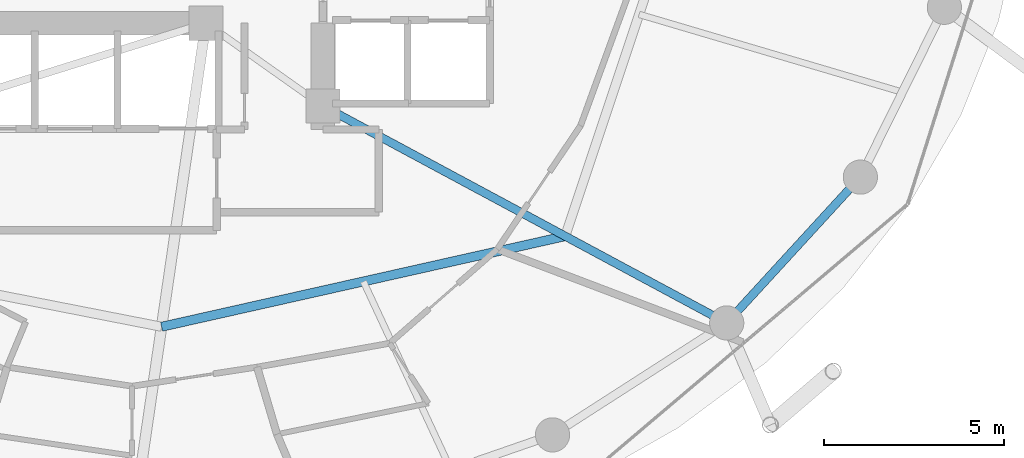
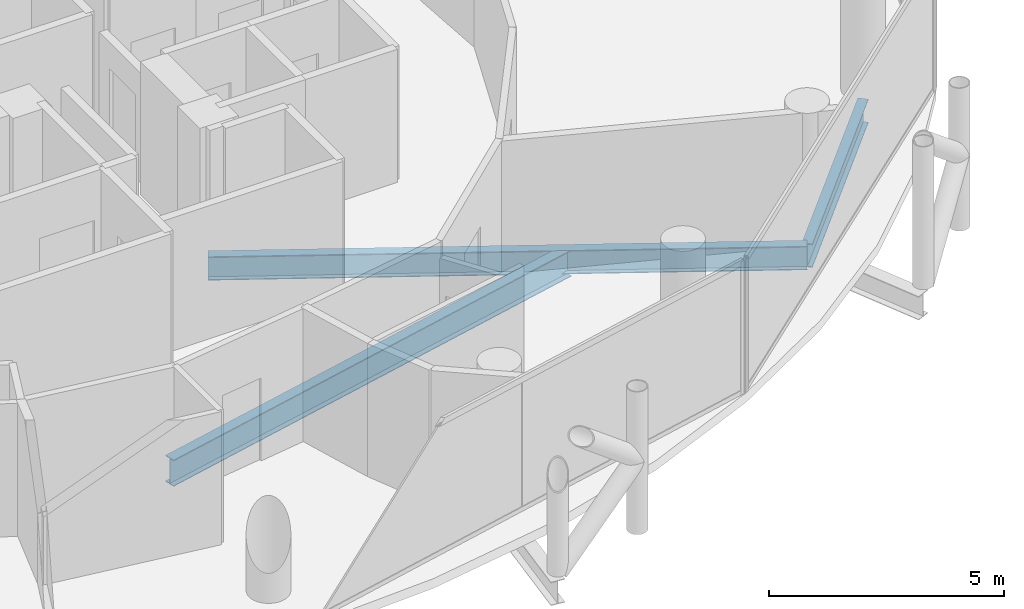
# One storey, part 9 of 26: 3 beams.
"""IFC4 building model written with IfcOpenShell, lengths in metres."""

from ifc_helpers import new_model, si_unit, direction, frame, origin, origin_2d, place, context, subcontext, project, spatial, i_section, extrude, material, material_profile, profile_set, type_object, element, save


model = new_model("IFC4")

# Units and contexts
model_context = context("Model", 3, precision=1e-05, world=origin(), true_north=direction((0.0, 1.0)))
body_context = subcontext(model_context, "Body", "Model", "MODEL_VIEW")
ifc_project = project(units=[si_unit("LENGTHUNIT", "METRE"), si_unit("AREAUNIT", "SQUARE_METRE"), si_unit("VOLUMEUNIT", "CUBIC_METRE"), si_unit("PLANEANGLEUNIT", "RADIAN"), si_unit("MASSUNIT", "GRAM", prefix="KILO")], contexts=[model_context])

# Site, building, storey
site_placement = place(None, origin())
site = spatial("IfcSite", under=ifc_project, at=site_placement, CompositionType="ELEMENT")
building_placement = place(site_placement, origin())
building = spatial("IfcBuilding", under=site, at=building_placement, Name="Nuhasar Tower", CompositionType="ELEMENT")
storey_placement = place(building_placement, frame((0.0, 0.0, 140.449951171875)))
storey = spatial("IfcBuildingStorey", under=building, at=storey_placement, Name="L33", CompositionType="ELEMENT", Elevation=140.449951171875)

# Beams
ifc_material = material(Name="Steel S355", Category="steel")
ifc_material_profile_1 = material_profile(ifc_material, i_section(OverallWidth=0.25390625, OverallDepth=0.68408203125, WebThickness=0.012451171875, FlangeThickness=0.018798828125, at=origin_2d()), Name="W27X94")
ifc_profile_set_1 = profile_set([ifc_material_profile_1], Name="Steel S355")
beam_type_1 = type_object("IfcBeamType", Name="BM-INRING-W27X94", PredefinedType="BEAM", material=ifc_profile_set_1)
beam_1_placement = place(storey_placement, frame((39.820068359375, 12.8701171875, -0.592041015625), z_axis=(0.975716159385, 0.219038755282, 0.0), x_axis=(-0.219038755282, 0.975716159385, 0.0)))
element("IfcBeam", 1, at=beam_1_placement, inside=storey, type_object=beam_type_1, Name="L33 Inner Header Beam 02", PredefinedType="BEAM", context=body_context, shape_type="SweptSolid", body=[
    extrude(i_section(OverallWidth=0.25390625, OverallDepth=0.68408203125, WebThickness=0.012451171875, FlangeThickness=0.018798828125, at=origin_2d()), origin(), (0.0, 0.0, 1.0), 11.48583984375),
])
ifc_material_profile_2 = material_profile(ifc_material, i_section(OverallWidth=0.22900390625, OverallDepth=0.612060546875, WebThickness=0.011962890625, FlangeThickness=0.01953125, at=origin_2d()), Name="W24X84")
ifc_profile_set_2 = profile_set([ifc_material_profile_2], Name="Steel S355")
beam_type_2 = type_object("IfcBeamType", Name="BM-RAD-W24X84", PredefinedType="BEAM", material=ifc_profile_set_2)
beam_2_placement = place(storey_placement, frame((44.300048828125, 19.0, -0.555908203125), z_axis=(0.880888386928, -0.473324043098, 0.0), x_axis=(0.473324043098, 0.880888386928, 0.0)))
element("IfcBeam", 2, at=beam_2_placement, inside=storey, type_object=beam_type_2, Name="L33 Radial Floor Girder 03", PredefinedType="BEAM", context=body_context, shape_type="SweptSolid", body=[
    extrude(i_section(OverallWidth=0.22900390625, OverallDepth=0.612060546875, WebThickness=0.011962890625, FlangeThickness=0.01953125, at=origin_2d()), origin(), (0.0, 0.0, 1.0), 12.726806640625),
])
ifc_material_profile_3 = material_profile(ifc_material, i_section(OverallWidth=0.22998046875, OverallDepth=0.616943359375, WebThickness=0.01318359375, FlangeThickness=0.022216796875, at=origin_2d()), Name="W24X94")
ifc_profile_set_3 = profile_set([ifc_material_profile_3], Name="Steel S355")
beam_type_3 = type_object("IfcBeamType", Name="BM-RING-W24X94", PredefinedType="SPANDREL", material=ifc_profile_set_3)
beam_3_placement = place(storey_placement, frame((55.510986328125, 12.97607421875, -0.558837890625), z_axis=(0.675676316545, 0.737198423262, 0.0), x_axis=(-0.737198423262, 0.675676316545, 0.0)))
element("IfcBeam", 3, at=beam_3_placement, inside=storey, type_object=beam_type_3, Name="L33 Perimeter Ring Spandrel 22", PredefinedType="SPANDREL", context=body_context, shape_type="SweptSolid", body=[
    extrude(i_section(OverallWidth=0.22998046875, OverallDepth=0.616943359375, WebThickness=0.01318359375, FlangeThickness=0.022216796875, at=origin_2d()), origin(), (0.0, 0.0, 1.0), 5.4921875),
])

save(model, "model.ifc")
